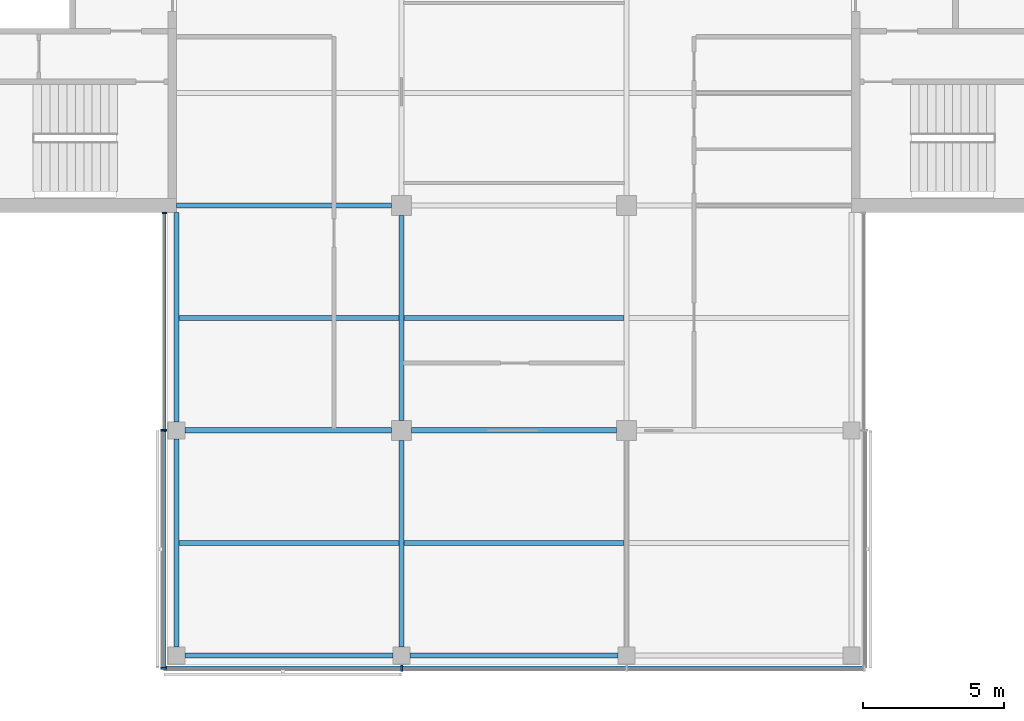
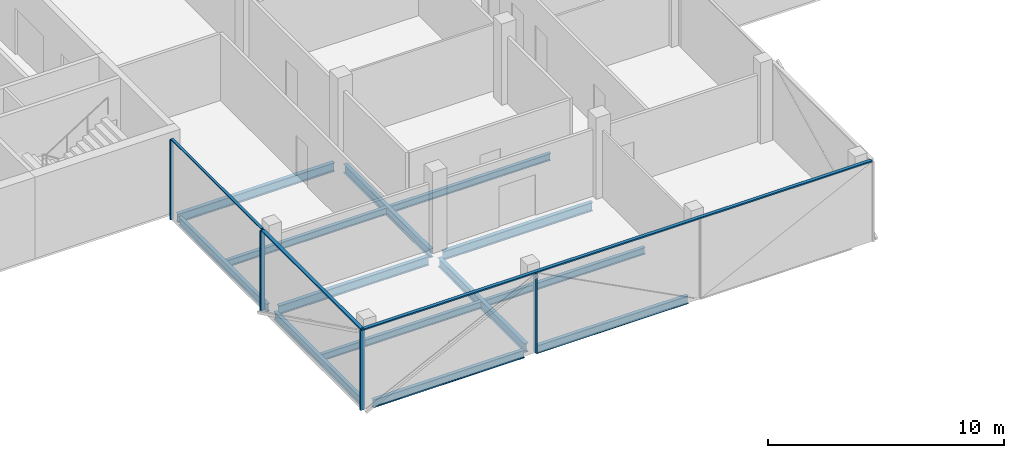
# One storey, part 2 of 15: 13 beams, 8 members, 3 elements without a shape of their own.
"""IFC4 building model written with IfcOpenShell, lengths in metres."""

from ifc_helpers import new_model, si_unit, direction, frame, origin, origin_2d, place, context, subcontext, project, spatial, rectangle, i_section, extrude, material, material_profile, profile_set, type_object, element, aggregate, save


model = new_model("IFC4")

# Units and contexts
model_context = context("Model", 3, precision=1e-05, world=origin(), true_north=direction((0.0, 1.0)))
body_context = subcontext(model_context, "Body", "Model", "MODEL_VIEW")
ifc_project = project(units=[si_unit("LENGTHUNIT", "METRE"), si_unit("AREAUNIT", "SQUARE_METRE"), si_unit("VOLUMEUNIT", "CUBIC_METRE"), si_unit("PLANEANGLEUNIT", "RADIAN"), si_unit("MASSUNIT", "GRAM", prefix="KILO")], contexts=[model_context])

# Site, building, storey
site_placement = place(None, origin())
site = spatial("IfcSite", under=ifc_project, at=site_placement, CompositionType="ELEMENT")
building_placement = place(site_placement, origin())
building = spatial("IfcBuilding", under=site, at=building_placement, Name="Crosswind Convention Tower", CompositionType="ELEMENT")
storey_placement = place(building_placement, frame((0.0, 0.0, 257.699951171875)))
storey = spatial("IfcBuildingStorey", under=building, at=storey_placement, Name="L55", CompositionType="ELEMENT", Elevation=257.699951171875)

# Beams
ifc_material_1 = material(Name="Steel S355", Category="steel")
ifc_material_profile_1 = material_profile(ifc_material_1, i_section(OverallWidth=0.177734375, OverallDepth=0.406494140625, WebThickness=0.0078125, FlangeThickness=0.0126953125, FilletRadius=0.01025390625, at=origin_2d()), Name="UB 406x178x60")
ifc_profile_set_1 = profile_set([ifc_material_profile_1], Name="Steel S355")
beam_type_1 = type_object("IfcBeamType", Name="Edge beam UB 406x178x60", PredefinedType="SPANDREL", material=ifc_profile_set_1)
beam_1_placement = place(storey_placement, frame((113.0, 72.300048828125, -0.503173828125), z_axis=(0.0, 1.0, 0.0), x_axis=(-1.0, 0.0, 0.0)))
element("IfcBeam", 1, at=beam_1_placement, inside=storey, type_object=beam_type_1, Name="B15 L55 edge beam 1", PredefinedType="SPANDREL", context=body_context, shape_type="SweptSolid", body=[
    extrude(i_section(OverallWidth=0.177734375, OverallDepth=0.406494140625, WebThickness=0.0078125, FlangeThickness=0.0126953125, FilletRadius=0.01025390625, at=origin_2d()), origin(), (0.0, 0.0, 1.0), 7.39990234375),
])
beam_2_placement = place(storey_placement, frame((113.0, 80.300048828125, -0.503173828125), z_axis=(0.0, 1.0, 0.0), x_axis=(-1.0, 0.0, 0.0)))
element("IfcBeam", 2, at=beam_2_placement, inside=storey, type_object=beam_type_1, Name="B15 L55 edge beam 2", PredefinedType="SPANDREL", context=body_context, shape_type="SweptSolid", body=[
    extrude(i_section(OverallWidth=0.177734375, OverallDepth=0.406494140625, WebThickness=0.0078125, FlangeThickness=0.0126953125, FilletRadius=0.01025390625, at=origin_2d()), origin(), (0.0, 0.0, 1.0), 7.449951171875),
])
for number, where, z_axis, x_axis, name in (
    (3, (113.300048828125, 72.0, -0.503173828125), (1.0, 0.0, 0.0), (0.0, 1.0, 0.0), "B15 L55 edge beam 5"),
    (4, (121.300048828125, 72.0, -0.503173828125), (1.0, 0.0, 0.0), (0.0, 1.0, 0.0), "B15 L55 edge beam 7"),
):
    element("IfcBeam", number, at=place(storey_placement, frame(where, z_axis=z_axis, x_axis=x_axis)), inside=storey, type_object=beam_type_1, Name=name, PredefinedType="SPANDREL", context=body_context, shape_type="SweptSolid", body=[
        extrude(i_section(OverallWidth=0.177734375, OverallDepth=0.406494140625, WebThickness=0.0078125, FlangeThickness=0.0126953125, FilletRadius=0.01025390625, at=origin_2d()), origin(), (0.0, 0.0, 1.0), 7.39990234375),
    ])
ifc_material_profile_2 = material_profile(ifc_material_1, i_section(OverallWidth=0.18994140625, OverallDepth=0.45361328125, WebThickness=0.008544921875, FlangeThickness=0.0126953125, FilletRadius=0.01025390625, at=origin_2d()), Name="UB 457x191x67")
ifc_profile_set_2 = profile_set([ifc_material_profile_2], Name="Steel S355")
beam_type_2 = type_object("IfcBeamType", Name="Girder UB 457x191x67", PredefinedType="BEAM", material=ifc_profile_set_2)
for number, where, z_axis, x_axis, name in (
    (5, (113.300048828125, 80.0, -0.52685546875), (1.0, 0.0, 0.0), (0.0, 1.0, 0.0), "B1 L55 girder 1"),
    (6, (121.0, 72.300048828125, -0.52685546875), (0.0, 1.0, 0.0), (-1.0, 0.0, 0.0), "B1 L55 girder 3"),
):
    element("IfcBeam", number, at=place(storey_placement, frame(where, z_axis=z_axis, x_axis=x_axis)), inside=storey, type_object=beam_type_2, Name=name, PredefinedType="BEAM", context=body_context, shape_type="SweptSolid", body=[
        extrude(i_section(OverallWidth=0.18994140625, OverallDepth=0.45361328125, WebThickness=0.008544921875, FlangeThickness=0.0126953125, FilletRadius=0.01025390625, at=origin_2d()), origin(), (0.0, 0.0, 1.0), 7.349853515625),
    ])
for number, where, z_axis, x_axis, name in (
    (7, (121.0, 80.35009765625, -0.52685546875), (0.0, 1.0, 0.0), (-1.0, 0.0, 0.0), "B1 L55 girder 4"),
    (8, (121.35009765625, 80.0, -0.52685546875), (1.0, 0.0, 0.0), (0.0, 1.0, 0.0), "B1 L55 girder 10"),
):
    element("IfcBeam", number, at=place(storey_placement, frame(where, z_axis=z_axis, x_axis=x_axis)), inside=storey, type_object=beam_type_2, Name=name, PredefinedType="BEAM", context=body_context, shape_type="SweptSolid", body=[
        extrude(i_section(OverallWidth=0.18994140625, OverallDepth=0.45361328125, WebThickness=0.008544921875, FlangeThickness=0.0126953125, FilletRadius=0.01025390625, at=origin_2d()), origin(), (0.0, 0.0, 1.0), 7.2998046875),
    ])
ifc_material_profile_3 = material_profile(ifc_material_1, i_section(OverallWidth=0.1904296875, OverallDepth=0.457275390625, WebThickness=0.009033203125, FlangeThickness=0.014404296875, FilletRadius=0.01025390625, at=origin_2d()), Name="UB 457x191x75")
ifc_profile_set_3 = profile_set([ifc_material_profile_3], Name="Steel S355")
beam_type_3 = type_object("IfcBeamType", Name="Girder at core wall UB 457x191x75", PredefinedType="BEAM", material=ifc_profile_set_3)
beam_3_placement = place(storey_placement, frame((113.0, 88.0, -0.528564453125), z_axis=(1.0, 0.0, 0.0), x_axis=(0.0, 1.0, 0.0)))
element("IfcBeam", 9, at=beam_3_placement, inside=storey, type_object=beam_type_3, Name="B22 L55 girder at core wall 1", PredefinedType="BEAM", context=body_context, shape_type="SweptSolid", body=[
    extrude(i_section(OverallWidth=0.1904296875, OverallDepth=0.457275390625, WebThickness=0.009033203125, FlangeThickness=0.014404296875, FilletRadius=0.01025390625, at=origin_2d()), origin(), (0.0, 0.0, 1.0), 7.64990234375),
])

# Curtain wall, members
ifc_material_2 = material(Name="Aluminium unitised curtain wall", Category="aluminium")
curtain_wall_type_1 = type_object("IfcCurtainWallType", Name="CORE END SLOT WALL 160", PredefinedType="USERDEFINED", material=ifc_material_2)
curtain_wall_1_placement = place(storey_placement, origin())
curtain_wall_1 = element("IfcCurtainWall", 10, at=curtain_wall_1_placement, inside=storey, type_object=curtain_wall_type_1, Name="CW6 L55 S-W.1-1 slot", ObjectType="UNITISED", PredefinedType="USERDEFINED")
ifc_material_3 = material(Name="Aluminium mullion", Category="aluminium")
ifc_material_profile_4 = material_profile(ifc_material_3, rectangle(XDim=0.159912109375, YDim=0.050048828125, at=origin_2d()), Name="AL 160X50")
ifc_profile_set_4 = profile_set([ifc_material_profile_4], Name="Aluminium mullion")
member_type_1 = type_object("IfcMemberType", Name="MULLION 50X160", PredefinedType="MULLION", material=ifc_profile_set_4)
member_1_placement = place(storey_placement, frame((112.570068359375, 87.72509765625, -0.300048828125), z_axis=(0.0, 0.0, 1.0), x_axis=(-1.0, 0.0, 0.0)))
member_1 = element("IfcMember", 11, at=member_1_placement, type_object=member_type_1, Name="CW6 mullion 1", PredefinedType="MULLION", context=body_context, shape_type="SweptSolid", body=[
    extrude(rectangle(XDim=0.159912109375, YDim=0.050048828125, at=origin_2d()), origin(), (0.0, 0.0, 1.0), 4.150146484375),
])
member_2_placement = place(storey_placement, frame((112.570068359375, 80.02490234375, -0.300048828125), z_axis=(0.0, 0.0, 1.0), x_axis=(-1.0, 0.0, 0.0)))
member_2 = element("IfcMember", 12, at=member_2_placement, type_object=member_type_1, Name="CW6 mullion 2", PredefinedType="MULLION", context=body_context, shape_type="SweptSolid", body=[
    extrude(rectangle(XDim=0.159912109375, YDim=0.050048828125, at=origin_2d()), origin(), (0.0, 0.0, 1.0), 4.150146484375),
])

curtain_wall_type_2 = type_object("IfcCurtainWallType", Name="OFFICE UNITISED WALL 220", PredefinedType="USERDEFINED", material=ifc_material_2)
curtain_wall_2_placement = place(storey_placement, origin())
curtain_wall_2 = element("IfcCurtainWall", 13, at=curtain_wall_2_placement, inside=storey, type_object=curtain_wall_type_2, Name="CW3 L55 S-W 1", ObjectType="UNITISED", PredefinedType="USERDEFINED")
ifc_material_profile_5 = material_profile(ifc_material_3, rectangle(XDim=0.219970703125, YDim=0.070068359375, at=origin_2d()), Name="AL 220X70")
ifc_profile_set_5 = profile_set([ifc_material_profile_5], Name="Aluminium mullion")
member_type_2 = type_object("IfcMemberType", Name="MULLION 70X220", PredefinedType="MULLION", material=ifc_profile_set_5)
member_3_placement = place(storey_placement, frame((112.5400390625, 80.0, -0.300048828125), z_axis=(0.0, 0.0, 1.0), x_axis=(-1.0, 0.0, 0.0)))
member_3 = element("IfcMember", 14, at=member_3_placement, type_object=member_type_2, Name="CW3 mullion 1", PredefinedType="MULLION", context=body_context, shape_type="SweptSolid", body=[
    extrude(rectangle(XDim=0.219970703125, YDim=0.070068359375, at=origin_2d()), origin(), (0.0, 0.0, 1.0), 4.130126953125),
])
member_4_placement = place(storey_placement, frame((112.5400390625, 71.5400390625, -0.300048828125), z_axis=(0.0, 0.0, 1.0), x_axis=(-1.0, 0.0, 0.0)))
member_4 = element("IfcMember", 15, at=member_4_placement, type_object=member_type_2, Name="CW3 mullion 2", PredefinedType="MULLION", context=body_context, shape_type="SweptSolid", body=[
    extrude(rectangle(XDim=0.219970703125, YDim=0.070068359375, at=origin_2d()), origin(), (0.0, 0.0, 1.0), 4.130126953125),
])

# Curtain wall, member
curtain_wall_3_placement = place(storey_placement, origin())
curtain_wall_3 = element("IfcCurtainWall", 16, at=curtain_wall_3_placement, inside=storey, type_object=curtain_wall_type_2, Name="CW3 L55 S-TIP 1", ObjectType="UNITISED", PredefinedType="USERDEFINED")
member_5_placement = place(storey_placement, frame((121.0, 71.5400390625, -0.300048828125), z_axis=(0.0, 0.0, 1.0), x_axis=(0.0, -1.0, 0.0)))
member_5 = element("IfcMember", 17, at=member_5_placement, type_object=member_type_2, Name="CW3 mullion 2", PredefinedType="MULLION", context=body_context, shape_type="SweptSolid", body=[
    extrude(rectangle(XDim=0.219970703125, YDim=0.070068359375, at=origin_2d()), origin(), (0.0, 0.0, 1.0), 4.130126953125),
])

# Beams
ifc_material_profile_6 = material_profile(ifc_material_1, i_section(OverallWidth=0.17138671875, OverallDepth=0.355712890625, WebThickness=0.00732421875, FlangeThickness=0.011474609375, FilletRadius=0.01025390625, at=origin_2d()), Name="UB 356x171x51")
ifc_profile_set_6 = profile_set([ifc_material_profile_6], Name="Steel S355")
beam_type_4 = type_object("IfcBeamType", Name="Secondary beam UB 356x171x51", PredefinedType="JOIST", material=ifc_profile_set_6)
for number, where, z_axis, x_axis, name in (
    (18, (113.0888671875, 76.0, -0.477783203125), (1.0, 0.0, 0.0), (0.0, 1.0, 0.0), "B8 L55 secondary beam 4"),
    (19, (113.0888671875, 84.0, -0.477783203125), (1.0, 0.0, 0.0), (0.0, 1.0, 0.0), "B8 L55 secondary beam 5"),
):
    element("IfcBeam", number, at=place(storey_placement, frame(where, z_axis=z_axis, x_axis=x_axis)), inside=storey, type_object=beam_type_4, Name=name, PredefinedType="JOIST", context=body_context, shape_type="SweptSolid", body=[
        extrude(i_section(OverallWidth=0.17138671875, OverallDepth=0.355712890625, WebThickness=0.00732421875, FlangeThickness=0.011474609375, FilletRadius=0.01025390625, at=origin_2d()), origin(), (0.0, 0.0, 1.0), 7.816162109375),
    ])
for number, where, z_axis, x_axis, name in (
    (20, (121.094970703125, 76.0, -0.477783203125), (1.0, 0.0, 0.0), (0.0, 1.0, 0.0), "B8 L55 secondary beam 8"),
    (21, (121.094970703125, 84.0, -0.477783203125), (1.0, 0.0, 0.0), (0.0, 1.0, 0.0), "B8 L55 secondary beam 9"),
):
    element("IfcBeam", number, at=place(storey_placement, frame(where, z_axis=z_axis, x_axis=x_axis)), inside=storey, type_object=beam_type_4, Name=name, PredefinedType="JOIST", context=body_context, shape_type="SweptSolid", body=[
        extrude(i_section(OverallWidth=0.17138671875, OverallDepth=0.355712890625, WebThickness=0.00732421875, FlangeThickness=0.011474609375, FilletRadius=0.01025390625, at=origin_2d()), origin(), (0.0, 0.0, 1.0), 7.81005859375),
    ])

# Member
ifc_material_4 = material(Name="Aluminium transom", Category="aluminium")
ifc_material_profile_7 = material_profile(ifc_material_4, rectangle(XDim=0.1201171875, YDim=0.050048828125, at=origin_2d()), Name="AL 120X50")
ifc_profile_set_7 = profile_set([ifc_material_profile_7], Name="Aluminium transom")
member_type_3 = type_object("IfcMemberType", Name="TRANSOM 50X120", PredefinedType="USERDEFINED", material=ifc_profile_set_7)
member_6_placement = place(storey_placement, frame((112.570068359375, 87.699951171875, 3.875), z_axis=(0.0, -1.0, 0.0), x_axis=(1.0, 0.0, 0.0)))
member_6 = element("IfcMember", 22, at=member_6_placement, type_object=member_type_3, Name="CW6 transom", ObjectType="TRANSOM", PredefinedType="USERDEFINED", context=body_context, shape_type="SweptSolid", body=[
    extrude(rectangle(XDim=0.1201171875, YDim=0.050048828125, at=origin_2d()), origin(), (0.0, 0.0, 1.0), 7.64990234375),
])

aggregate(curtain_wall_1, [member_1, member_2, member_6])

ifc_material_profile_8 = material_profile(ifc_material_4, rectangle(XDim=0.159912109375, YDim=0.070068359375, at=origin_2d()), Name="AL 160X70")
ifc_profile_set_8 = profile_set([ifc_material_profile_8], Name="Aluminium transom")
member_type_4 = type_object("IfcMemberType", Name="TRANSOM 70X160", PredefinedType="USERDEFINED", material=ifc_profile_set_8)
member_7_placement = place(storey_placement, frame((112.5400390625, 79.965087890625, 3.864990234375), z_axis=(0.0, -1.0, 0.0), x_axis=(1.0, 0.0, 0.0)))
member_7 = element("IfcMember", 23, at=member_7_placement, type_object=member_type_4, Name="CW3 transom", ObjectType="TRANSOM", PredefinedType="USERDEFINED", context=body_context, shape_type="SweptSolid", body=[
    extrude(rectangle(XDim=0.159912109375, YDim=0.070068359375, at=origin_2d()), origin(), (0.0, 0.0, 1.0), 8.39013671875),
])

aggregate(curtain_wall_2, [member_3, member_4, member_7])

member_8_placement = place(storey_placement, frame((112.574951171875, 71.5400390625, 3.864990234375), z_axis=(1.0, 0.0, 0.0), x_axis=(0.0, 1.0, 0.0)))
member_8 = element("IfcMember", 24, at=member_8_placement, type_object=member_type_4, Name="CW3 transom", ObjectType="TRANSOM", PredefinedType="USERDEFINED", context=body_context, shape_type="SweptSolid", body=[
    extrude(rectangle(XDim=0.159912109375, YDim=0.070068359375, at=origin_2d()), origin(), (0.0, 0.0, 1.0), 24.85009765625),
])

aggregate(curtain_wall_3, [member_5, member_8])

save(model, "model.ifc")
